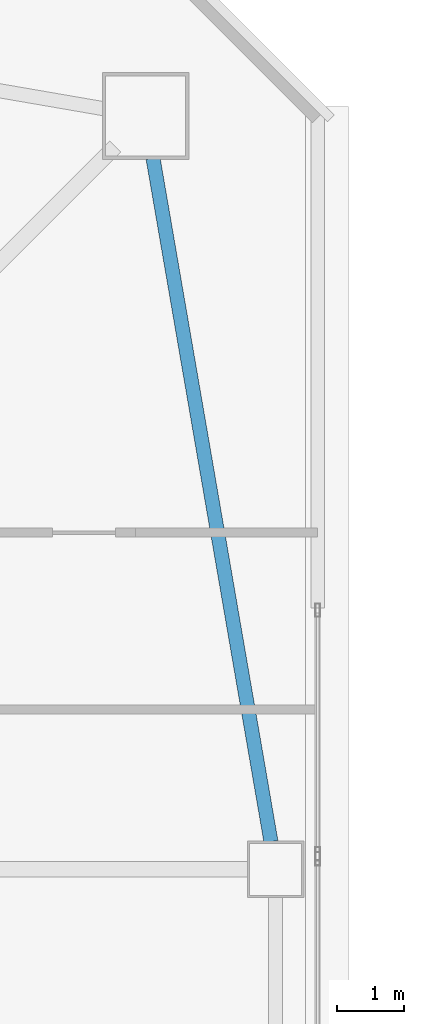
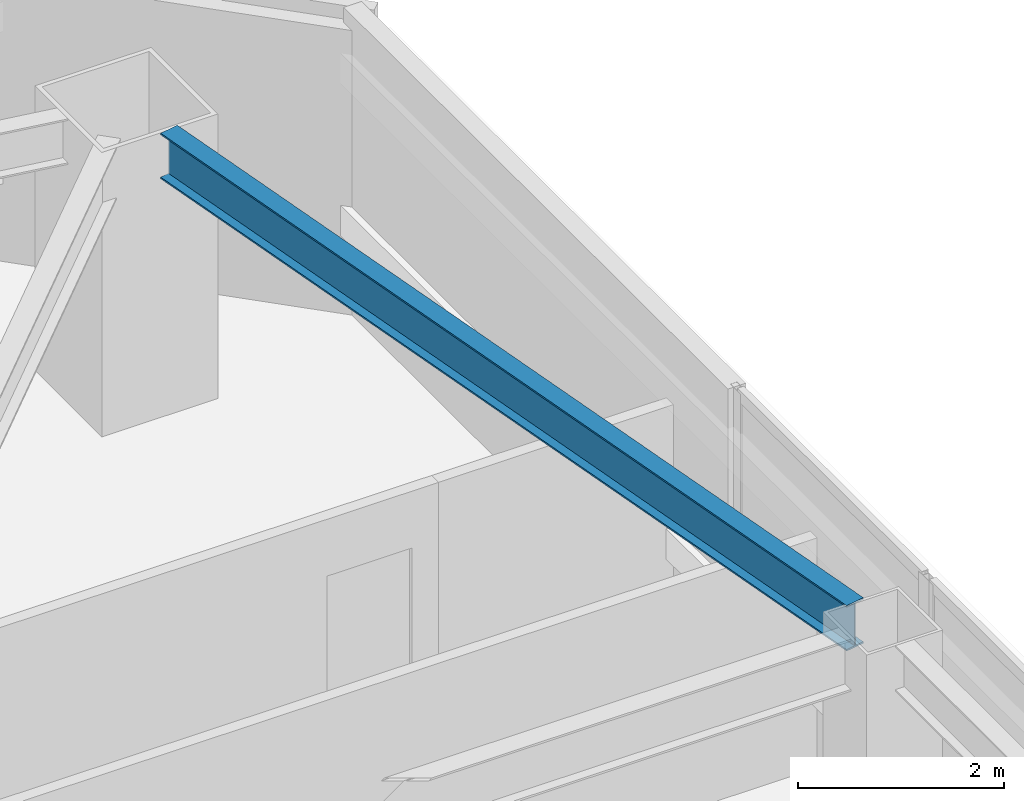
# One storey, part 16 of 41: 1 beam.
"""IFC4 building model written with IfcOpenShell, lengths in metres."""

from ifc_helpers import new_model, si_unit, direction, frame, origin, origin_2d, place, context, subcontext, project, spatial, i_section, extrude, material, material_profile, profile_set, type_object, element, save


model = new_model("IFC4")

# Units and contexts
model_context = context("Model", 3, precision=1e-05, world=origin(), true_north=direction((0.0, 1.0)))
body_context = subcontext(model_context, "Body", "Model", "MODEL_VIEW")
ifc_project = project(units=[si_unit("LENGTHUNIT", "METRE"), si_unit("AREAUNIT", "SQUARE_METRE"), si_unit("VOLUMEUNIT", "CUBIC_METRE"), si_unit("PLANEANGLEUNIT", "RADIAN"), si_unit("MASSUNIT", "GRAM", prefix="KILO")], contexts=[model_context])

# Site, building, storey
site_placement = place(None, origin())
site = spatial("IfcSite", under=ifc_project, at=site_placement, CompositionType="ELEMENT")
building_placement = place(site_placement, origin())
building = spatial("IfcBuilding", under=site, at=building_placement, Name="Tashvorn Skyway Center", CompositionType="ELEMENT")
storey_placement = place(building_placement, frame((0.0, 0.0, 146.35009765625)))
storey = spatial("IfcBuildingStorey", under=building, at=storey_placement, Name="L39", CompositionType="ELEMENT", Elevation=146.35009765625)

# Beam
ifc_material = material(Name="Steel ASTM A992 Grade 50", Category="steel")
ifc_material_profile = material_profile(ifc_material, i_section(OverallWidth=0.2109375, OverallDepth=0.5390625, WebThickness=0.01171875, FlangeThickness=0.018798828125, at=origin_2d()), Name="W21X73")
ifc_profile_set = profile_set([ifc_material_profile], Name="Steel ASTM A992 Grade 50")
beam_type = type_object("IfcBeamType", Name="BM-SPANDREL-W21X73", PredefinedType="SPANDREL", material=ifc_profile_set)
beam_placement = place(storey_placement, frame((60.57861328125, 37.81396484375, 3.100341796875), z_axis=(-0.170067250846, 0.985432458462, 0.0), x_axis=(-0.985432458462, -0.170067250846, 0.0)))
element("IfcBeam", 1, at=beam_placement, inside=storey, type_object=beam_type, Name="Tower 1 L39 Spandrel Beam 06", PredefinedType="SPANDREL", context=body_context, shape_type="SweptSolid", body=[
    extrude(i_section(OverallWidth=0.2109375, OverallDepth=0.5390625, WebThickness=0.01171875, FlangeThickness=0.018798828125, at=origin_2d()), origin(), (0.0, 0.0, 1.0), 10.402099609375),
])

save(model, "model.ifc")
